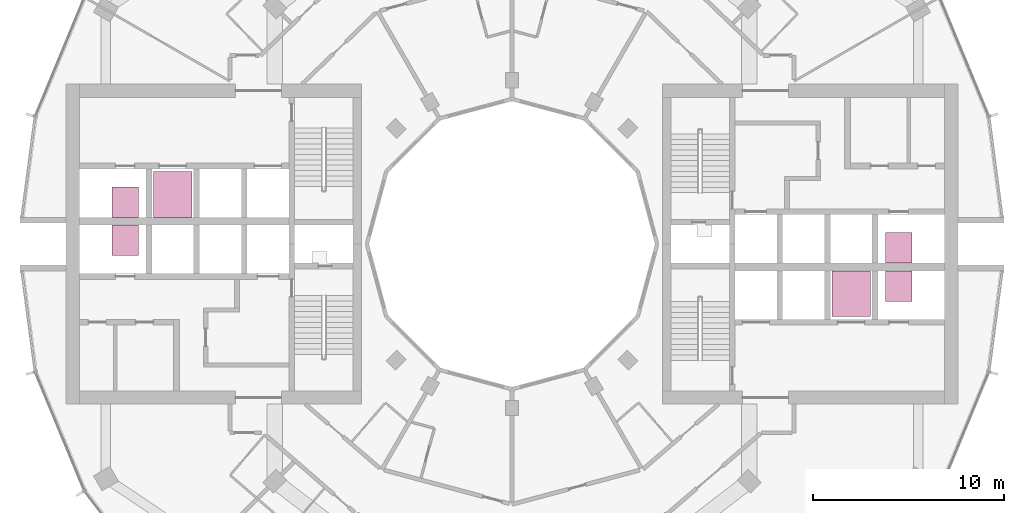
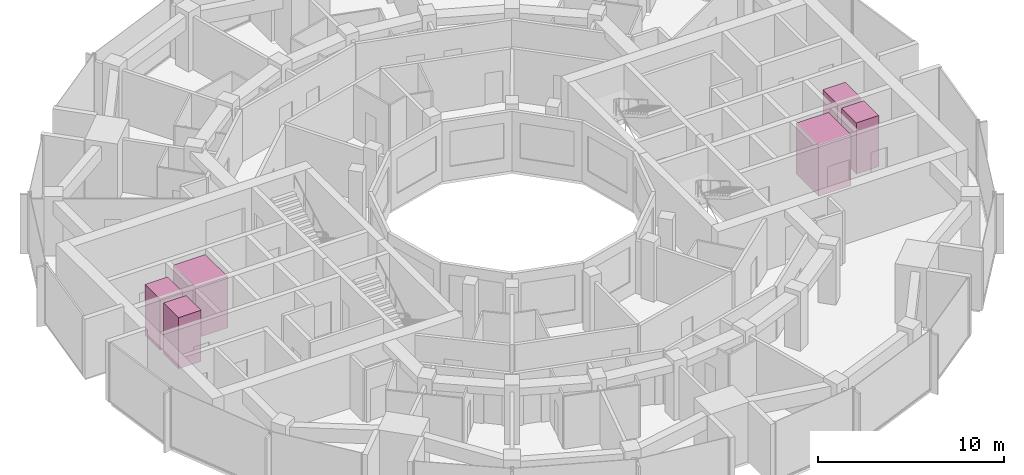
# One storey, part 15 of 15: 6 transport elements.
"""IFC4 building model written with IfcOpenShell, lengths in metres."""

from ifc_helpers import new_model, si_unit, direction, frame, origin, origin_2d, place, context, subcontext, project, spatial, rectangle, extrude, material, type_object, element, save


model = new_model("IFC4")

# Units and contexts
model_context = context("Model", 3, precision=1e-05, world=origin(), true_north=direction((0.0, 1.0)))
body_context = subcontext(model_context, "Body", "Model", "MODEL_VIEW")
ifc_project = project(units=[si_unit("LENGTHUNIT", "METRE"), si_unit("AREAUNIT", "SQUARE_METRE"), si_unit("VOLUMEUNIT", "CUBIC_METRE"), si_unit("PLANEANGLEUNIT", "RADIAN"), si_unit("MASSUNIT", "GRAM", prefix="KILO")], contexts=[model_context])

# Site, building, storey
site_placement = place(None, origin())
site = spatial("IfcSite", under=ifc_project, at=site_placement, CompositionType="ELEMENT")
building_placement = place(site_placement, origin())
building = spatial("IfcBuilding", under=site, at=building_placement, Name="Torre Brocal", CompositionType="ELEMENT")
storey_placement = place(building_placement, frame((0.0, 0.0, 138.0)))
storey = spatial("IfcBuildingStorey", under=building, at=storey_placement, Name="L32", CompositionType="ELEMENT", Elevation=138.0)

# Transport elements
ifc_material_1 = material(Name="Stainless steel AISI 316", Category="steel")
transport_element_type_1 = type_object("IfcTransportElementType", Name="PASSENGER LIFT 2000", PredefinedType="ELEVATOR", material=ifc_material_1)
for number, where, z_axis, x_axis, name in (
    (1, (97.800048828125, 72.39990234375, 0.0), (0.0, 0.0, 1.0), (1.0, 0.0, 0.0), "LOW RISE LIFT E-LR2"),
    (2, (62.199951171875, 77.60009765625, 0.0), (0.0, 0.0, 1.0), (1.0, 0.0, 0.0), "LOW RISE LIFT W-LR2"),
):
    element("IfcTransportElement", number, at=place(storey_placement, frame(where, z_axis=z_axis, x_axis=x_axis)), inside=storey, type_object=transport_element_type_1, Name=name, PredefinedType="ELEVATOR", context=body_context, shape_type="SweptSolid", body=[
        extrude(rectangle(XDim=2.0, YDim=2.39990234375, at=origin_2d()), origin(), (0.0, 0.0, 1.0), 3.35009765625),
    ])
ifc_material_2 = material(Name="Stainless steel AISI 316", Category="steel")
transport_element_type_2 = type_object("IfcTransportElementType", Name="PASSENGER LIFT 900", PredefinedType="ELEVATOR", material=ifc_material_2)
for number, where, z_axis, x_axis, name in (
    (3, (100.300048828125, 74.800048828125, 0.0), (0.0, 0.0, 1.0), (1.0, 0.0, 0.0), "LOW RISE LIFT E-LR1"),
    (4, (100.300048828125, 72.800048828125, 0.0), (0.0, 0.0, 1.0), (1.0, 0.0, 0.0), "LOW RISE LIFT E-LR3"),
    (5, (59.699951171875, 75.199951171875, 0.0), (0.0, 0.0, 1.0), (1.0, 0.0, 0.0), "LOW RISE LIFT W-LR1"),
    (6, (59.699951171875, 77.199951171875, 0.0), (0.0, 0.0, 1.0), (1.0, 0.0, 0.0), "LOW RISE LIFT W-LR3"),
):
    element("IfcTransportElement", number, at=place(storey_placement, frame(where, z_axis=z_axis, x_axis=x_axis)), inside=storey, type_object=transport_element_type_2, Name=name, PredefinedType="ELEVATOR", context=body_context, shape_type="SweptSolid", body=[
        extrude(rectangle(XDim=1.39990234375, YDim=1.60009765625, at=origin_2d()), origin(), (0.0, 0.0, 1.0), 3.35009765625),
    ])

save(model, "model.ifc")
